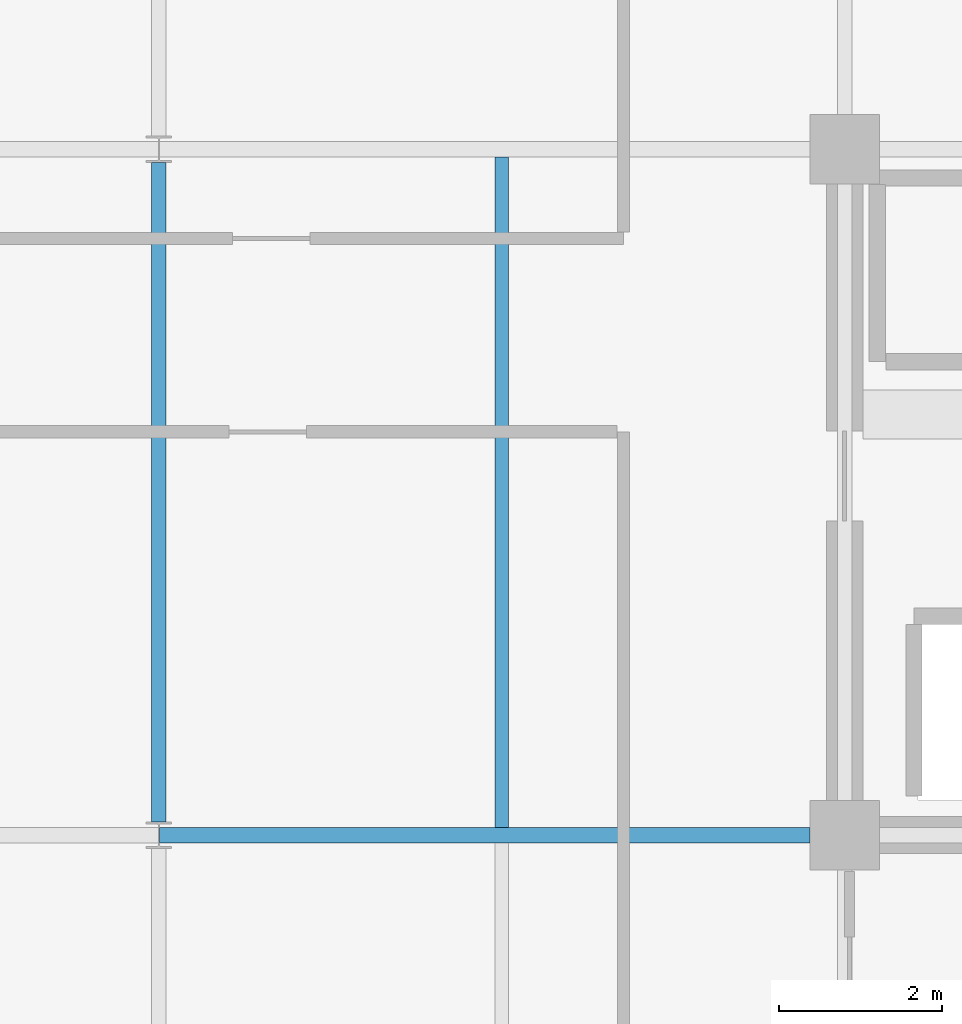
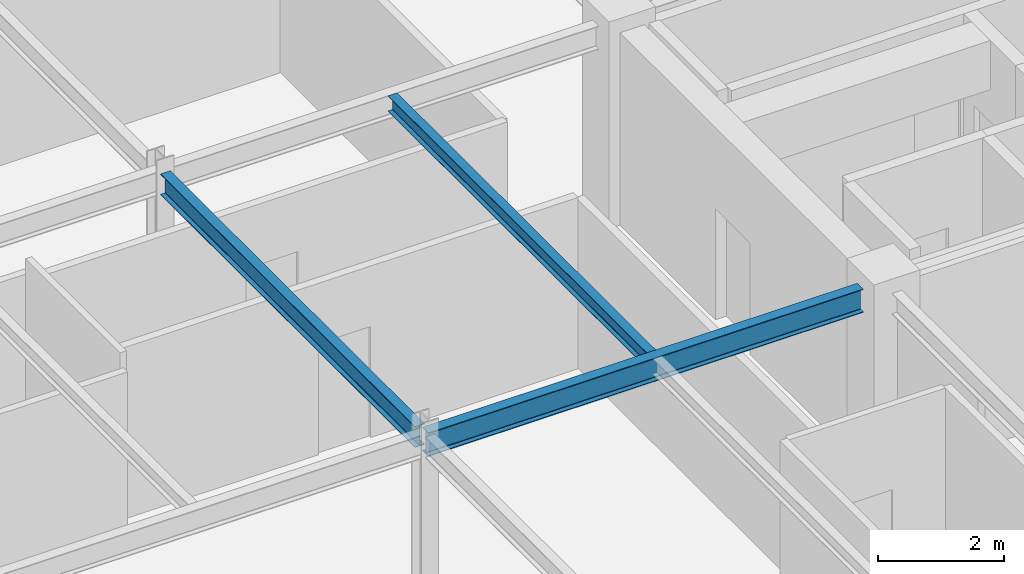
# One storey, part 6 of 26: 3 beams.
"""IFC4 building model written with IfcOpenShell, lengths in metres."""

from ifc_helpers import new_model, si_unit, direction, frame, origin, origin_2d, place, context, subcontext, project, spatial, i_section, extrude, material, material_profile, profile_set, type_object, element, save


model = new_model("IFC4")

# Units and contexts
model_context = context("Model", 3, precision=1e-05, world=origin(), true_north=direction((0.0, 1.0)))
body_context = subcontext(model_context, "Body", "Model", "MODEL_VIEW")
ifc_project = project(units=[si_unit("LENGTHUNIT", "METRE"), si_unit("AREAUNIT", "SQUARE_METRE"), si_unit("VOLUMEUNIT", "CUBIC_METRE"), si_unit("PLANEANGLEUNIT", "RADIAN"), si_unit("MASSUNIT", "GRAM", prefix="KILO")], contexts=[model_context])

# Site, building, storey
site_placement = place(None, origin())
site = spatial("IfcSite", under=ifc_project, at=site_placement, CompositionType="ELEMENT")
building_placement = place(site_placement, origin())
building = spatial("IfcBuilding", under=site, at=building_placement, Name="Nerrivon Quay Data Exchange", CompositionType="ELEMENT")
storey_placement = place(building_placement, frame((0.0, 0.0, 270.199951171875)))
storey = spatial("IfcBuildingStorey", under=building, at=storey_placement, Name="L64", CompositionType="ELEMENT", Elevation=270.199951171875)

# Beams
ifc_material = material(Name="Steel Grade 350", Category="steel")
ifc_material_profile_1 = material_profile(ifc_material, i_section(OverallWidth=0.18994140625, OverallDepth=0.4541015625, WebThickness=0.008544921875, FlangeThickness=0.0126953125, FilletRadius=0.011474609375, at=origin_2d()), Name="460UB67.1")
ifc_profile_set_1 = profile_set([ifc_material_profile_1], Name="Steel Grade 350")
beam_type_1 = type_object("IfcBeamType", Name="BM-G6-460UB67", PredefinedType="BEAM", material=ifc_profile_set_1)
beam_1_placement = place(storey_placement, frame((8.40771484375, 8.39990234375, 3.498046875), z_axis=(1.0, 0.0, 0.0), x_axis=(0.0, 1.0, 0.0)))
element("IfcBeam", 1, at=beam_1_placement, inside=storey, type_object=beam_type_1, Name="L64 EW Girder Y=8.4 (8.4..16.8)", PredefinedType="BEAM", context=body_context, shape_type="SweptSolid", body=[
    extrude(i_section(OverallWidth=0.18994140625, OverallDepth=0.4541015625, WebThickness=0.008544921875, FlangeThickness=0.0126953125, FilletRadius=0.011474609375, at=origin_2d()), origin(), (0.0, 0.0, 1.0), 7.96728515625),
])
ifc_material_profile_2 = material_profile(ifc_material, i_section(OverallWidth=0.177978515625, OverallDepth=0.406005859375, WebThickness=0.0078125, FlangeThickness=0.0126953125, FilletRadius=0.011474609375, at=origin_2d()), Name="410UB59.7")
ifc_profile_set_2 = profile_set([ifc_material_profile_2], Name="Steel Grade 350")
beam_type_2 = type_object("IfcBeamType", Name="BM-J1-410UB60", PredefinedType="JOIST", material=ifc_profile_set_2)
beam_2_placement = place(storey_placement, frame((8.39990234375, 8.5634765625, 3.52197265625), z_axis=(0.0, 1.0, 0.0), x_axis=(-1.0, 0.0, 0.0)))
element("IfcBeam", 2, at=beam_2_placement, inside=storey, type_object=beam_type_2, Name="L64 NS Girder X=8.4 (8.4..16.8)", PredefinedType="JOIST", context=body_context, shape_type="SweptSolid", body=[
    extrude(i_section(OverallWidth=0.177978515625, OverallDepth=0.406005859375, WebThickness=0.0078125, FlangeThickness=0.0126953125, FilletRadius=0.011474609375, at=origin_2d()), origin(), (0.0, 0.0, 1.0), 8.072998046875),
])
ifc_material_profile_3 = material_profile(ifc_material, i_section(OverallWidth=0.1650390625, OverallDepth=0.303955078125, WebThickness=0.006103515625, FlangeThickness=0.01025390625, FilletRadius=0.011474609375, at=origin_2d()), Name="310UB40.4")
ifc_profile_set_3 = profile_set([ifc_material_profile_3], Name="Steel Grade 350")
beam_type_3 = type_object("IfcBeamType", Name="BM-J6-310UB40", PredefinedType="JOIST", material=ifc_profile_set_3)
beam_3_placement = place(storey_placement, frame((12.60009765625, 8.4951171875, 3.572998046875), z_axis=(0.0, 1.0, 0.0), x_axis=(-1.0, 0.0, 0.0)))
element("IfcBeam", 3, at=beam_3_placement, inside=storey, type_object=beam_type_3, Name="L64 Secondary Joist X=12.6 (8.4..16.8)", PredefinedType="JOIST", context=body_context, shape_type="SweptSolid", body=[
    extrude(i_section(OverallWidth=0.1650390625, OverallDepth=0.303955078125, WebThickness=0.006103515625, FlangeThickness=0.01025390625, FilletRadius=0.011474609375, at=origin_2d()), origin(), (0.0, 0.0, 1.0), 8.2099609375),
])

save(model, "model.ifc")
